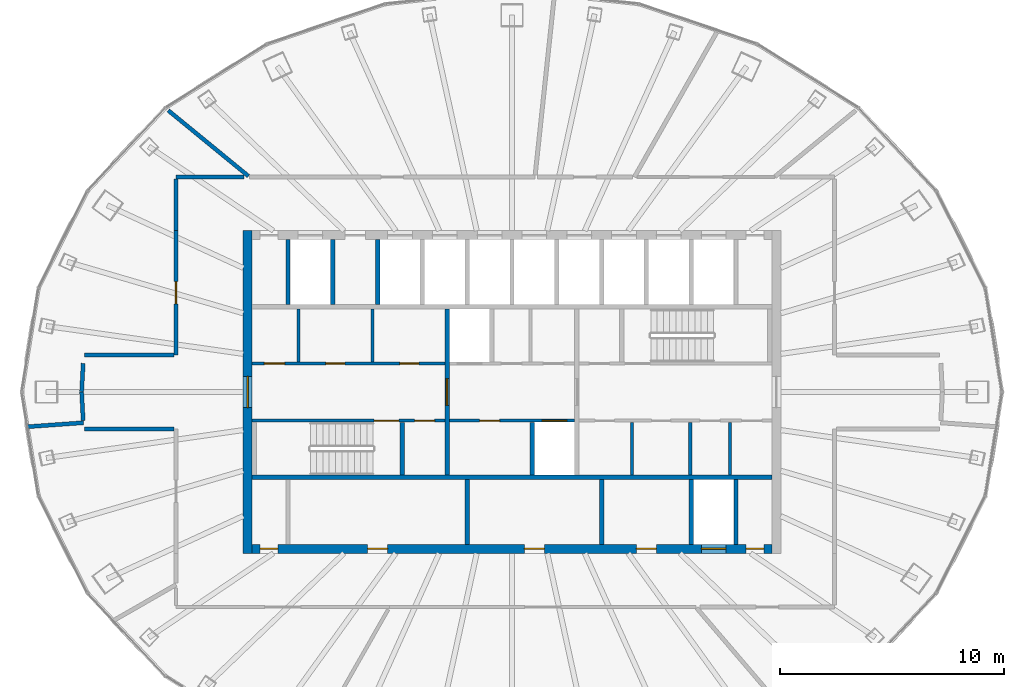
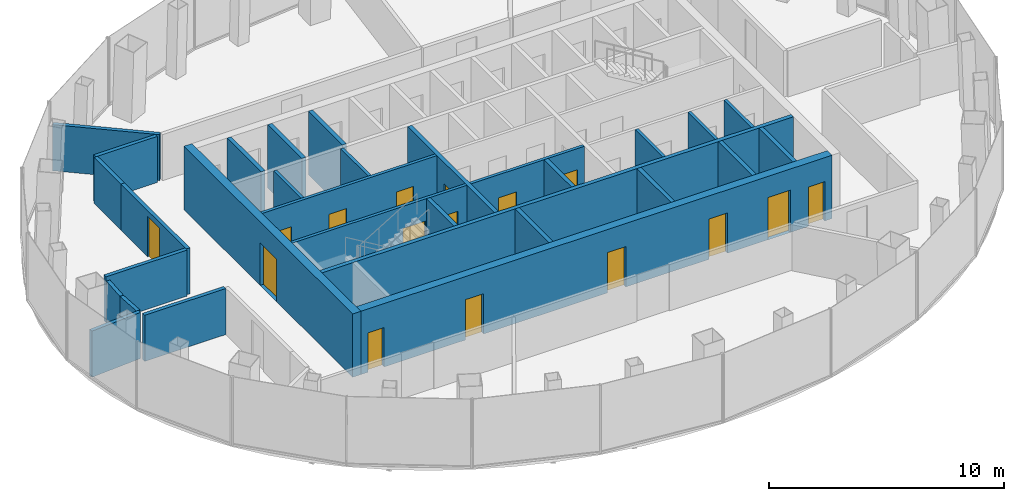
# One storey, part 8 of 11: 30 walls, 16 doors, 16 openings.
"""IFC4 building model written with IfcOpenShell, lengths in metres."""

import ifcopenshell
import ifcopenshell.guid

model = None  # the IFC model being written
_history = None  # IfcOwnerHistory: only IFC2X3 demands one
_inside = {}  # id of a spatial element -> (the spatial element, [elements in it])
_under = {}  # id of a project, library or spatial element -> (it, [spatial elements below it])
_declared = {}  # id of a project -> (the project, [libraries it declares])
_typed = {}  # id of a type object -> (the type object, [elements of that type])
_made_of = {}  # id of a material, layer set ... -> (it, [elements and type objects made of it])


def new_model(schema):
    """Start an empty IFC model of exactly this schema.

    Asked for "IFC4X3", IfcOpenShell would pick the latest addendum, in which some entities
    have other attributes; the version numbers below select the first issue.
    IFC2X3 requires an IfcOwnerHistory on every rooted entity: one is made here for all.
    """
    global model, _history
    if schema == "IFC4X3":
        model = ifcopenshell.file(schema_version=(4, 3, 0, 0))
    else:
        model = ifcopenshell.file(schema=schema)
    _inside.clear()
    _under.clear()
    _declared.clear()
    _typed.clear()
    _made_of.clear()
    _history = None
    if model.schema == "IFC2X3":
        org = make("IfcOrganization", Name="unknown")
        user = make(
            "IfcPersonAndOrganization",
            ThePerson=make("IfcPerson", FamilyName="unknown"),
            TheOrganization=org,
        )
        app = make(
            "IfcApplication",
            ApplicationDeveloper=org,
            Version="unknown",
            ApplicationFullName="unknown",
            ApplicationIdentifier="unknown",
        )
        _history = make(
            "IfcOwnerHistory",
            OwningUser=user,
            OwningApplication=app,
            ChangeAction="ADDED",
            CreationDate=0,
        )
    return model


def make(cls, **values):
    """One entity of the class cls with the attributes given. An attribute that is None is left unset."""
    return model.create_entity(
        cls, **{name: value for name, value in values.items() if value is not None}
    )


def rooted(cls, **values):
    """An entity with a GlobalId (a new one), such as an element, a storey or a relation."""
    return make(cls, GlobalId=ifcopenshell.guid.new(), OwnerHistory=_history, **values)


def si_unit(unit_type, name, prefix=None):
    """IfcSIUnit, for example si_unit("LENGTHUNIT", "METRE", prefix="MILLI")."""
    return make("IfcSIUnit", UnitType=unit_type, Prefix=prefix, Name=name)


def assignment(units):
    """IfcUnitAssignment: the units of a project."""
    return None if units is None else make("IfcUnitAssignment", Units=units)


def point(xyz):
    """IfcCartesianPoint."""
    return None if xyz is None else make("IfcCartesianPoint", Coordinates=xyz)


def direction(xyz):
    """IfcDirection."""
    return None if xyz is None else make("IfcDirection", DirectionRatios=xyz)


def frame(location, z_axis=None, x_axis=None):
    """IfcAxis2Placement3D, a coordinate frame: its origin and axes. An axis left out is left unset."""
    return make(
        "IfcAxis2Placement3D",
        Location=point(location),
        Axis=direction(z_axis),
        RefDirection=direction(x_axis),
    )


def frame_2d(location, x_axis=None):
    """IfcAxis2Placement2D, a coordinate frame in the plane: its origin and x axis."""
    return make(
        "IfcAxis2Placement2D", Location=point(location), RefDirection=direction(x_axis)
    )


def origin():
    """The frame at (0, 0, 0) with its axes left unset."""
    return frame((0.0, 0.0, 0.0))


def place(relative_to, where):
    """IfcLocalPlacement: puts the frame where relative to a parent placement (None: the world)."""
    return make(
        "IfcLocalPlacement", PlacementRelTo=relative_to, RelativePlacement=where
    )


def context(
    kind, dimensions, precision=None, world=None, true_north=None, identifier=None
):
    """IfcGeometricRepresentationContext, for example the 3D "Model" context."""
    return make(
        "IfcGeometricRepresentationContext",
        ContextIdentifier=identifier,
        ContextType=kind,
        CoordinateSpaceDimension=dimensions,
        Precision=precision,
        WorldCoordinateSystem=world,
        TrueNorth=true_north,
    )


def subcontext(parent, identifier, kind, view, scale=None):
    """IfcGeometricRepresentationSubContext, for example "Body" below "Model"."""
    return make(
        "IfcGeometricRepresentationSubContext",
        ContextIdentifier=identifier,
        ContextType=kind,
        ParentContext=parent,
        TargetScale=scale,
        TargetView=view,
    )


def project(units=None, contexts=None):
    """IfcProject with its units and contexts."""
    return rooted(
        "IfcProject",
        Name="project",
        RepresentationContexts=contexts,
        UnitsInContext=assignment(units),
    )


def spatial(cls, under=None, at=None, **own):
    """A site, building, storey or space (cls), placed at a placement, below another one or the project."""
    s = rooted(cls, ObjectPlacement=at, **own)
    if under is not None:
        _under.setdefault(under.id(), (under, []))[1].append(s)
    return s


def profile(cls, at=None, kind="AREA", **sizes):
    """A parametric profile (cls). Its sizes go by their IFC names, for example OverallWidth=200.0."""
    return make(cls, ProfileType=kind, Position=at, **sizes)


def rectangle(**sizes):
    """IfcRectangleProfileDef."""
    return profile("IfcRectangleProfileDef", **sizes)


def extrude(swept, where, along, depth):
    """IfcExtrudedAreaSolid: the profile swept, set in the frame where, extruded along a direction by depth."""
    return make(
        "IfcExtrudedAreaSolid",
        SweptArea=swept,
        Position=where,
        ExtrudedDirection=direction(along),
        Depth=depth,
    )


def shape(context_of_items, identifier, shape_type, items):
    """IfcShapeRepresentation: the items that make up one representation, for example the "Body"."""
    return make(
        "IfcShapeRepresentation",
        ContextOfItems=context_of_items,
        RepresentationIdentifier=identifier,
        RepresentationType=shape_type,
        Items=items,
    )


def material(Name=None, Category=None):
    """IfcMaterial."""
    return make("IfcMaterial", Name=Name, Category=Category)


def layer(
    of_material, thickness, ventilated=None, Name=None, Category=None, Priority=None
):
    """IfcMaterialLayer: one layer of a wall or slab, of a material (None: an air gap)."""
    return make(
        "IfcMaterialLayer",
        Material=of_material,
        LayerThickness=thickness,
        IsVentilated=ventilated,
        Name=Name,
        Category=Category,
        Priority=Priority,
    )


def layer_set(layers, Name=None):
    """IfcMaterialLayerSet."""
    return make("IfcMaterialLayerSet", MaterialLayers=layers, LayerSetName=Name)


def made_of(thing, what):
    """Note that an element or type object is made of a material, layer set ...; save() writes the relation."""
    if what is not None:
        _made_of.setdefault(what.id(), (what, []))[1].append(thing)
    return thing


def type_object(cls, material=None, **own):
    """A type object (cls), such as IfcWallType, which elements share."""
    return made_of(rooted(cls, **own), material)


def element(
    cls,
    number,
    at=None,
    inside=None,
    cuts=None,
    type_object=None,
    material=None,
    context=None,
    identifier="Body",
    shape_type=None,
    held_by="IfcProductDefinitionShape",
    body=None,
    shapes=None,
    **own,
):
    """One element of the class cls, such as IfcWall. Its Tag is "e" and its number.

    at: its placement. inside: the storey or other place that contains it. cuts: it is an
    opening in that element (IfcRelVoidsElement). A single representation is given by context,
    identifier, shape_type and body (its items); several are given by shapes. held_by: the class
    of the entity that holds the representations. save() writes the other relations.
    """
    e = rooted(cls, Tag="e%d" % number, ObjectPlacement=at, **own)
    if body is not None:
        shapes = [shape(context, identifier, shape_type, body)]
    if shapes is not None:
        e.Representation = make(held_by, Representations=shapes)
    if inside is not None:
        _inside.setdefault(inside.id(), (inside, []))[1].append(e)
    if cuts is not None:
        rooted(
            "IfcRelVoidsElement", RelatingBuildingElement=cuts, RelatedOpeningElement=e
        )
    if type_object is not None:
        _typed.setdefault(type_object.id(), (type_object, []))[1].append(e)
    return made_of(e, material)


def fill(opening, filler):
    """IfcRelFillsElement: the door or window that sits in an opening."""
    return rooted(
        "IfcRelFillsElement",
        RelatingOpeningElement=opening,
        RelatedBuildingElement=filler,
    )


def aggregate(whole, parts):
    """IfcRelAggregates: a whole, such as a stair, and the parts it consists of."""
    return rooted("IfcRelAggregates", RelatingObject=whole, RelatedObjects=parts)


def save(model, path):
    """Write the relations noted so far, then the file.

    IfcRelAggregates (storeys below a building ...), IfcRelContainedInSpatialStructure (elements
    in a storey), IfcRelDefinesByType, IfcRelAssociatesMaterial and IfcRelDeclares: one each for
    every whole, place, type object, material and project.
    """
    for whole, parts in _under.values():
        aggregate(whole, parts)
    for where, things in _inside.values():
        rooted(
            "IfcRelContainedInSpatialStructure",
            RelatedElements=things,
            RelatingStructure=where,
        )
    for kind, things in _typed.values():
        rooted("IfcRelDefinesByType", RelatedObjects=things, RelatingType=kind)
    for what, things in _made_of.values():
        rooted("IfcRelAssociatesMaterial", RelatedObjects=things, RelatingMaterial=what)
    for by, libraries in _declared.values():
        rooted("IfcRelDeclares", RelatingContext=by, RelatedDefinitions=libraries)
    model.write(path)


model = new_model("IFC4")

# Units and contexts
model_context = context("Model", 3, precision=1e-05, world=origin(), true_north=direction((0.0, 1.0)))
body_context = subcontext(model_context, "Body", "Model", "MODEL_VIEW")
ifc_project = project(units=[si_unit("LENGTHUNIT", "METRE"), si_unit("AREAUNIT", "SQUARE_METRE"), si_unit("VOLUMEUNIT", "CUBIC_METRE"), si_unit("PLANEANGLEUNIT", "RADIAN"), si_unit("MASSUNIT", "GRAM", prefix="KILO")], contexts=[model_context])

# Site, building, storey
site_placement = place(None, origin())
site = spatial("IfcSite", under=ifc_project, at=site_placement, CompositionType="ELEMENT")
building_placement = place(site_placement, origin())
building = spatial("IfcBuilding", under=site, at=building_placement, Name="Siaravel Broadcast Tower", CompositionType="ELEMENT")
storey_placement = place(building_placement, frame((0.0, 0.0, 220.800048828125)))
storey = spatial("IfcBuildingStorey", under=building, at=storey_placement, Name="L53", CompositionType="ELEMENT", Elevation=220.800048828125)

# Walls
ifc_material_1 = material(Name="Concrete blockwork", Category="masonry")
ifc_layer_1 = layer(ifc_material_1, 0.14990234375)
ifc_layer_set_1 = layer_set([ifc_layer_1], Name="Concrete blockwork")
wall_type_1 = type_object("IfcWallType", Name="Core partition 150", PredefinedType="PARTITIONING", material=ifc_layer_set_1)
for number, where, z_axis, x_axis, name in (
    (1, (-9.532958984375, 1.35009765625, 0.0), (0.0, 0.0, 1.0), (0.0, 1.0, 0.0), "L53 core partition PNW0"),
    (2, (-6.22900390625, 1.35009765625, 0.0), (0.0, 0.0, 1.0), (0.0, 1.0, 0.0), "L53 core partition PNW1"),
    (3, (5.35693359375, -3.699951171875, 0.0), (0.0, 0.0, 1.0), (0.0, 1.0, 0.0), "L53 core partition PSE0"),
    (4, (7.951904296875, -3.699951171875, 0.0), (0.0, 0.0, 1.0), (0.0, 1.0, 0.0), "L53 core partition PSE1"),
    (5, (9.73193359375, -3.699951171875, 0.0), (0.0, 0.0, 1.0), (0.0, 1.0, 0.0), "L53 core partition PSE2"),
):
    element("IfcWall", number, at=place(storey_placement, frame(where, z_axis=z_axis, x_axis=x_axis)), inside=storey, type_object=wall_type_1, Name=name, PredefinedType="PARTITIONING", context=body_context, shape_type="SweptSolid", body=[
        extrude(rectangle(XDim=2.349853515625, YDim=0.14990234375, at=frame_2d((1.1748046875, 0.0))), origin(), (0.0, 0.0, 1.0), 3.300048828125),
    ])
ifc_layer_2 = layer(ifc_material_1, 0.199951171875)
ifc_layer_set_2 = layer_set([ifc_layer_2], Name="Concrete blockwork")
wall_type_2 = type_object("IfcWallType", Name="Core partition 200", PredefinedType="PARTITIONING", material=ifc_layer_set_2)
for number, where, z_axis, x_axis, name in (
    (6, (-2.0, -6.800048828125, 0.0), (0.0, 0.0, 1.0), (0.0, 1.0, 0.0), "L53 core partition PFS0"),
    (7, (4.0, -6.800048828125, 0.0), (0.0, 0.0, 1.0), (0.0, 1.0, 0.0), "L53 core partition PFS4"),
):
    element("IfcWall", number, at=place(storey_placement, frame(where, z_axis=z_axis, x_axis=x_axis)), inside=storey, type_object=wall_type_2, Name=name, PredefinedType="PARTITIONING", context=body_context, shape_type="SweptSolid", body=[
        extrude(rectangle(XDim=2.900146484375, YDim=0.199951171875, at=frame_2d((1.4501953125, 0.0))), origin(), (0.0, 0.0, 1.0), 3.300048828125),
    ])

# Wall, opening, door
ifc_material_2 = material(Name="Concrete C60/75", Category="concrete")
ifc_layer_3 = layer(ifc_material_2, 0.39990234375)
ifc_layer_set_3 = layer_set([ifc_layer_3], Name="Concrete C60/75")
wall_type_3 = type_object("IfcWallType", Name="Core wall 400", PredefinedType="SHEAR", material=ifc_layer_set_3)
wall_1_placement = place(storey_placement, frame((-11.800048828125, -7.199951171875, 0.0), z_axis=(0.0, 0.0, 1.0), x_axis=(0.0, 1.0, 0.0)))
wall_1 = element("IfcWall", 8, at=wall_1_placement, inside=storey, type_object=wall_type_3, Name="L53 core wall OW", PredefinedType="SHEAR", context=body_context, shape_type="SweptSolid", body=[
    extrude(rectangle(XDim=14.39990234375, YDim=0.39990234375, at=frame_2d((7.199951171875, 0.0))), origin(), (0.0, 0.0, 1.0), 3.300048828125),
])
opening_1_placement = place(wall_1_placement, frame((6.5, 0.0, 0.0)))
opening_1 = element("IfcOpeningElement", 9, at=opening_1_placement, cuts=wall_1, Name="Opening L53-DX-W", PredefinedType="OPENING", context=body_context, shape_type="SweptSolid", body=[
    extrude(rectangle(XDim=1.39990234375, YDim=2.199951171875, at=frame_2d((0.699951171875, 1.10009765625))), frame((0.0, 0.2099609375, 0.0), z_axis=(0.0, -1.0, 0.0), x_axis=(1.0, 0.0, 0.0)), (0.0, 0.0, 1.0), 0.419921875),
])
ifc_material_3 = material(Name="Steel", Category="steel")
door_type_1 = type_object("IfcDoorType", Name="Core exit door 1400", OperationType="DOUBLE_DOOR_SINGLE_SWING", PredefinedType="DOOR", material=ifc_material_3)
door_1_placement = place(opening_1_placement, origin())
door_1 = element("IfcDoor", 10, at=door_1_placement, inside=storey, type_object=door_type_1, Name="L53 door DX-W", OperationType="DOUBLE_DOOR_SINGLE_SWING", OverallHeight=2.199951171875, OverallWidth=1.39990234375, PredefinedType="DOOR", context=body_context, shape_type="SweptSolid", body=[
    extrude(rectangle(XDim=1.39990234375, YDim=2.199951171875, at=frame_2d((0.699951171875, 1.10009765625))), frame((0.0, 0.02490234375, 0.0), z_axis=(0.0, -1.0, 0.0), x_axis=(1.0, 0.0, 0.0)), (0.0, 0.0, 1.0), 0.050048828125),
])
fill(opening_1, door_1)

# Wall, openings, doors
wall_2_placement = place(storey_placement, frame((-11.60009765625, -7.0, 0.0), z_axis=(0.0, 0.0, 1.0), x_axis=(1.0, 0.0, 0.0)))
wall_2 = element("IfcWall", 11, at=wall_2_placement, inside=storey, type_object=wall_type_3, Name="L53 core wall OS", PredefinedType="SHEAR", context=body_context, shape_type="SweptSolid", body=[
    extrude(rectangle(XDim=23.2001953125, YDim=0.39990234375, at=frame_2d((11.60009765625, 0.0))), origin(), (0.0, 0.0, 1.0), 3.300048828125),
])
opening_2_placement = place(wall_2_placement, frame((20.050048828125, 0.0, 0.0)))
opening_2 = element("IfcOpeningElement", 12, at=opening_2_placement, cuts=wall_2, Name="Opening LD-SV1-L53", PredefinedType="OPENING", context=body_context, shape_type="SweptSolid", body=[
    extrude(rectangle(XDim=1.10009765625, YDim=2.199951171875, at=frame_2d((0.550048828125, 1.10009765625))), frame((0.0, 0.2099609375, 0.0), z_axis=(0.0, -1.0, 0.0), x_axis=(1.0, 0.0, 0.0)), (0.0, 0.0, 1.0), 0.419921875),
])
opening_3_placement = place(wall_2_placement, frame((5.14990234375, 0.0, 0.0)))
opening_3 = element("IfcOpeningElement", 13, at=opening_3_placement, cuts=wall_2, Name="Opening L53-DFS0", PredefinedType="OPENING", context=body_context, shape_type="SweptSolid", body=[
    extrude(rectangle(XDim=0.89990234375, YDim=2.10009765625, at=frame_2d((0.449951171875, 1.050048828125))), frame((0.0, 0.2099609375, 0.0), z_axis=(0.0, -1.0, 0.0), x_axis=(1.0, 0.0, 0.0)), (0.0, 0.0, 1.0), 0.419921875),
])
opening_4_placement = place(wall_2_placement, frame((12.14990234375, 0.0, 0.0)))
opening_4 = element("IfcOpeningElement", 14, at=opening_4_placement, cuts=wall_2, Name="Opening L53-DFS4", PredefinedType="OPENING", context=body_context, shape_type="SweptSolid", body=[
    extrude(rectangle(XDim=0.89990234375, YDim=2.10009765625, at=frame_2d((0.449951171875, 1.050048828125))), frame((0.0, 0.2099609375, 0.0), z_axis=(0.0, -1.0, 0.0), x_axis=(1.0, 0.0, 0.0)), (0.0, 0.0, 1.0), 0.419921875),
])
opening_5_placement = place(wall_2_placement, frame((17.14990234375, 0.0, 0.0)))
opening_5 = element("IfcOpeningElement", 15, at=opening_5_placement, cuts=wall_2, Name="Opening L53-DFS7", PredefinedType="OPENING", context=body_context, shape_type="SweptSolid", body=[
    extrude(rectangle(XDim=0.89990234375, YDim=2.10009765625, at=frame_2d((0.449951171875, 1.050048828125))), frame((0.0, 0.2099609375, 0.0), z_axis=(0.0, -1.0, 0.0), x_axis=(1.0, 0.0, 0.0)), (0.0, 0.0, 1.0), 0.419921875),
])
opening_6_placement = place(wall_2_placement, frame((0.35009765625, 0.0, 0.0)))
opening_6 = element("IfcOpeningElement", 16, at=opening_6_placement, cuts=wall_2, Name="Opening L53-DRSW", PredefinedType="OPENING", context=body_context, shape_type="SweptSolid", body=[
    extrude(rectangle(XDim=0.800048828125, YDim=2.050048828125, at=frame_2d((0.39990234375, 1.02490234375))), frame((0.0, 0.2099609375, 0.0), z_axis=(0.0, -1.0, 0.0), x_axis=(1.0, 0.0, 0.0)), (0.0, 0.0, 1.0), 0.419921875),
])
opening_7_placement = place(wall_2_placement, frame((22.050048828125, 0.0, 0.0)))
opening_7 = element("IfcOpeningElement", 17, at=opening_7_placement, cuts=wall_2, Name="Opening L53-DRSE", PredefinedType="OPENING", context=body_context, shape_type="SweptSolid", body=[
    extrude(rectangle(XDim=0.800048828125, YDim=2.050048828125, at=frame_2d((0.39990234375, 1.02490234375))), frame((0.0, 0.2099609375, 0.0), z_axis=(0.0, -1.0, 0.0), x_axis=(1.0, 0.0, 0.0)), (0.0, 0.0, 1.0), 0.419921875),
])
ifc_material_4 = material(Name="Timber veneer", Category="wood")
door_type_2 = type_object("IfcDoorType", Name="Core room door 900", OperationType="SINGLE_SWING_LEFT", PredefinedType="DOOR", material=ifc_material_4)
door_2_placement = place(opening_3_placement, origin())
door_2 = element("IfcDoor", 18, at=door_2_placement, inside=storey, type_object=door_type_2, Name="L53 door DFS0", OperationType="SINGLE_SWING_LEFT", OverallHeight=2.10009765625, OverallWidth=0.89990234375, PredefinedType="DOOR", context=body_context, shape_type="SweptSolid", body=[
    extrude(rectangle(XDim=0.89990234375, YDim=2.10009765625, at=frame_2d((0.449951171875, 1.050048828125))), frame((0.0, 0.02490234375, 0.0), z_axis=(0.0, -1.0, 0.0), x_axis=(1.0, 0.0, 0.0)), (0.0, 0.0, 1.0), 0.050048828125),
])
fill(opening_3, door_2)
door_3_placement = place(opening_4_placement, origin())
door_3 = element("IfcDoor", 19, at=door_3_placement, inside=storey, type_object=door_type_2, Name="L53 door DFS4", OperationType="SINGLE_SWING_LEFT", OverallHeight=2.10009765625, OverallWidth=0.89990234375, PredefinedType="DOOR", context=body_context, shape_type="SweptSolid", body=[
    extrude(rectangle(XDim=0.89990234375, YDim=2.10009765625, at=frame_2d((0.449951171875, 1.050048828125))), frame((0.0, 0.02490234375, 0.0), z_axis=(0.0, -1.0, 0.0), x_axis=(1.0, 0.0, 0.0)), (0.0, 0.0, 1.0), 0.050048828125),
])
fill(opening_4, door_3)
door_4_placement = place(opening_5_placement, origin())
door_4 = element("IfcDoor", 20, at=door_4_placement, inside=storey, type_object=door_type_2, Name="L53 door DFS7", OperationType="SINGLE_SWING_LEFT", OverallHeight=2.10009765625, OverallWidth=0.89990234375, PredefinedType="DOOR", context=body_context, shape_type="SweptSolid", body=[
    extrude(rectangle(XDim=0.89990234375, YDim=2.10009765625, at=frame_2d((0.449951171875, 1.050048828125))), frame((0.0, 0.02490234375, 0.0), z_axis=(0.0, -1.0, 0.0), x_axis=(1.0, 0.0, 0.0)), (0.0, 0.0, 1.0), 0.050048828125),
])
fill(opening_5, door_4)
door_type_3 = type_object("IfcDoorType", Name="Riser door 800", OperationType="SINGLE_SWING_LEFT", PredefinedType="DOOR", material=ifc_material_3)
door_5_placement = place(opening_6_placement, origin())
door_5 = element("IfcDoor", 21, at=door_5_placement, inside=storey, type_object=door_type_3, Name="L53 door DRSW", OperationType="SINGLE_SWING_LEFT", OverallHeight=2.050048828125, OverallWidth=0.800048828125, PredefinedType="DOOR", context=body_context, shape_type="SweptSolid", body=[
    extrude(rectangle(XDim=0.800048828125, YDim=2.050048828125, at=frame_2d((0.39990234375, 1.02490234375))), frame((0.0, 0.02490234375, 0.0), z_axis=(0.0, -1.0, 0.0), x_axis=(1.0, 0.0, 0.0)), (0.0, 0.0, 1.0), 0.050048828125),
])
fill(opening_6, door_5)
door_6_placement = place(opening_7_placement, origin())
door_6 = element("IfcDoor", 22, at=door_6_placement, inside=storey, type_object=door_type_3, Name="L53 door DRSE", OperationType="SINGLE_SWING_LEFT", OverallHeight=2.050048828125, OverallWidth=0.800048828125, PredefinedType="DOOR", context=body_context, shape_type="SweptSolid", body=[
    extrude(rectangle(XDim=0.800048828125, YDim=2.050048828125, at=frame_2d((0.39990234375, 1.02490234375))), frame((0.0, 0.02490234375, 0.0), z_axis=(0.0, -1.0, 0.0), x_axis=(1.0, 0.0, 0.0)), (0.0, 0.0, 1.0), 0.050048828125),
])
fill(opening_7, door_6)
ifc_material_5 = material(Name="Stainless steel 316L", Category="steel")
door_type_4 = type_object("IfcDoorType", Name="Service lift landing door 1100", OperationType="DOUBLE_DOOR_SLIDING", PredefinedType="DOOR", material=ifc_material_5)
door_7_placement = place(opening_2_placement, origin())
door_7 = element("IfcDoor", 23, at=door_7_placement, inside=storey, type_object=door_type_4, Name="Landing door SV1 L53", OperationType="DOUBLE_DOOR_SLIDING", OverallHeight=2.199951171875, OverallWidth=1.10009765625, PredefinedType="DOOR", context=body_context, shape_type="SweptSolid", body=[
    extrude(rectangle(XDim=1.10009765625, YDim=2.199951171875, at=frame_2d((0.550048828125, 1.10009765625))), frame((0.0, 0.02490234375, 0.0), z_axis=(0.0, -1.0, 0.0), x_axis=(1.0, 0.0, 0.0)), (0.0, 0.0, 1.0), 0.050048828125),
])
fill(opening_2, door_7)

ifc_material_6 = material(Name="Gypsum board partition", Category="gypsum")
ifc_layer_4 = layer(ifc_material_6, 0.14990234375)
ifc_layer_set_4 = layer_set([ifc_layer_4], Name="Gypsum board partition")
wall_type_4 = type_object("IfcWallType", Name="Corridor wall 150", PredefinedType="PARTITIONING", material=ifc_layer_set_4)
wall_3_placement = place(storey_placement, frame((-11.60009765625, 1.27490234375, 0.0), z_axis=(0.0, 0.0, 1.0), x_axis=(1.0, 0.0, 0.0)))
wall_3 = element("IfcWall", 24, at=wall_3_placement, inside=storey, type_object=wall_type_4, Name="L53 core partition CNW", PredefinedType="PARTITIONING", context=body_context, shape_type="SweptSolid", body=[
    extrude(rectangle(XDim=8.60009765625, YDim=0.14990234375, at=frame_2d((4.300048828125, 0.0))), origin(), (0.0, 0.0, 1.0), 3.300048828125),
])
opening_8_placement = place(wall_3_placement, frame((0.5458984375, 0.0, 0.0)))
opening_8 = element("IfcOpeningElement", 25, at=opening_8_placement, cuts=wall_3, Name="Opening L53-DNW0", PredefinedType="OPENING", context=body_context, shape_type="SweptSolid", body=[
    extrude(rectangle(XDim=0.89990234375, YDim=2.10009765625, at=frame_2d((0.449951171875, 1.050048828125))), frame((0.0, 0.0849609375, 0.0), z_axis=(0.0, -1.0, 0.0), x_axis=(1.0, 0.0, 0.0)), (0.0, 0.0, 1.0), 0.169921875),
])
opening_9_placement = place(wall_3_placement, frame((3.2939453125, 0.0, 0.0)))
opening_9 = element("IfcOpeningElement", 26, at=opening_9_placement, cuts=wall_3, Name="Opening L53-DNW1", PredefinedType="OPENING", context=body_context, shape_type="SweptSolid", body=[
    extrude(rectangle(XDim=0.85009765625, YDim=2.10009765625, at=frame_2d((0.425048828125, 1.050048828125))), frame((0.0, 0.0849609375, 0.0), z_axis=(0.0, -1.0, 0.0), x_axis=(1.0, 0.0, 0.0)), (0.0, 0.0, 1.0), 0.169921875),
])
opening_10_placement = place(wall_3_placement, frame((6.597900390625, 0.0, 0.0)))
opening_10 = element("IfcOpeningElement", 27, at=opening_10_placement, cuts=wall_3, Name="Opening L53-DNW2", PredefinedType="OPENING", context=body_context, shape_type="SweptSolid", body=[
    extrude(rectangle(XDim=0.85009765625, YDim=2.10009765625, at=frame_2d((0.425048828125, 1.050048828125))), frame((0.0, 0.0849609375, 0.0), z_axis=(0.0, -1.0, 0.0), x_axis=(1.0, 0.0, 0.0)), (0.0, 0.0, 1.0), 0.169921875),
])
door_8_placement = place(opening_8_placement, origin())
door_8 = element("IfcDoor", 28, at=door_8_placement, inside=storey, type_object=door_type_2, Name="L53 door DNW0", OperationType="SINGLE_SWING_LEFT", OverallHeight=2.10009765625, OverallWidth=0.89990234375, PredefinedType="DOOR", context=body_context, shape_type="SweptSolid", body=[
    extrude(rectangle(XDim=0.89990234375, YDim=2.10009765625, at=frame_2d((0.449951171875, 1.050048828125))), frame((0.0, 0.02490234375, 0.0), z_axis=(0.0, -1.0, 0.0), x_axis=(1.0, 0.0, 0.0)), (0.0, 0.0, 1.0), 0.050048828125),
])
fill(opening_8, door_8)
door_type_5 = type_object("IfcDoorType", Name="Core toilet door 850", OperationType="SINGLE_SWING_LEFT", PredefinedType="DOOR", material=ifc_material_4)
door_9_placement = place(opening_9_placement, origin())
door_9 = element("IfcDoor", 29, at=door_9_placement, inside=storey, type_object=door_type_5, Name="L53 door DNW1", OperationType="SINGLE_SWING_LEFT", OverallHeight=2.10009765625, OverallWidth=0.85009765625, PredefinedType="DOOR", context=body_context, shape_type="SweptSolid", body=[
    extrude(rectangle(XDim=0.85009765625, YDim=2.10009765625, at=frame_2d((0.425048828125, 1.050048828125))), frame((0.0, 0.02490234375, 0.0), z_axis=(0.0, -1.0, 0.0), x_axis=(1.0, 0.0, 0.0)), (0.0, 0.0, 1.0), 0.050048828125),
])
fill(opening_9, door_9)
door_10_placement = place(opening_10_placement, origin())
door_10 = element("IfcDoor", 30, at=door_10_placement, inside=storey, type_object=door_type_5, Name="L53 door DNW2", OperationType="SINGLE_SWING_LEFT", OverallHeight=2.10009765625, OverallWidth=0.85009765625, PredefinedType="DOOR", context=body_context, shape_type="SweptSolid", body=[
    extrude(rectangle(XDim=0.85009765625, YDim=2.10009765625, at=frame_2d((0.425048828125, 1.050048828125))), frame((0.0, 0.02490234375, 0.0), z_axis=(0.0, -1.0, 0.0), x_axis=(1.0, 0.0, 0.0)), (0.0, 0.0, 1.0), 0.050048828125),
])
fill(opening_10, door_10)

# Wall, opening, door
ifc_layer_5 = layer(ifc_material_1, 0.179931640625)
ifc_layer_set_5 = layer_set([ifc_layer_5], Name="Concrete blockwork")
wall_type_5 = type_object("IfcWallType", Name="Service room fire partition 180", PredefinedType="PARTITIONING", material=ifc_layer_set_5)
wall_4_placement = place(storey_placement, frame((-15.0, 7.2119140625, 0.0), z_axis=(0.0, 0.0, 1.0), x_axis=(0.0, -1.0, 0.0)))
wall_4 = element("IfcWall", 31, at=wall_4_placement, inside=storey, type_object=wall_type_5, Name="L53 partition 11", PredefinedType="PARTITIONING", context=body_context, shape_type="SweptSolid", body=[
    extrude(rectangle(XDim=5.56201171875, YDim=0.179931640625, at=frame_2d((2.781005859375, 0.0))), origin(), (0.0, 0.0, 1.0), 2.39990234375),
])
opening_11_placement = place(wall_4_placement, frame((2.281005859375, 0.0, 0.0)))
opening_11 = element("IfcOpeningElement", 32, at=opening_11_placement, cuts=wall_4, Name="Opening L53-007", PredefinedType="OPENING", context=body_context, shape_type="SweptSolid", body=[
    extrude(rectangle(XDim=1.0, YDim=2.10009765625, at=frame_2d((0.5, 1.050048828125))), frame((0.0, 0.099853515625, 0.0), z_axis=(0.0, -1.0, 0.0), x_axis=(1.0, 0.0, 0.0)), (0.0, 0.0, 1.0), 0.199951171875),
])
door_type_6 = type_object("IfcDoorType", Name="Service room door 1000", OperationType="SINGLE_SWING_LEFT", PredefinedType="DOOR", material=ifc_material_3)
door_11_placement = place(opening_11_placement, origin())
door_11 = element("IfcDoor", 33, at=door_11_placement, inside=storey, type_object=door_type_6, Name="L53 door to Library", OperationType="SINGLE_SWING_LEFT", OverallHeight=2.10009765625, OverallWidth=1.0, PredefinedType="DOOR", context=body_context, shape_type="SweptSolid", body=[
    extrude(rectangle(XDim=1.0, YDim=2.10009765625, at=frame_2d((0.5, 1.050048828125))), frame((0.0, 0.02490234375, 0.0), z_axis=(0.0, -1.0, 0.0), x_axis=(1.0, 0.0, 0.0)), (0.0, 0.0, 1.0), 0.050048828125),
])
fill(opening_11, door_11)

# Walls
wall_5_placement = place(storey_placement, frame((-15.3466796875, 12.570556640625, 0.0), z_axis=(0.0, 0.0, 1.0), x_axis=(0.773623506, -0.633645541, 0.0)))
element("IfcWall", 34, at=wall_5_placement, inside=storey, type_object=wall_type_5, Name="L53 partition 14", PredefinedType="PARTITIONING", context=body_context, shape_type="SweptSolid", body=[
    extrude(rectangle(XDim=4.62890625, YDim=0.179931640625, at=frame_2d((2.314453125, 0.0))), origin(), (0.0, 0.0, 1.0), 2.39990234375),
])
for number, where, z_axis, x_axis, name in (
    (35, (-15.092041015625, 1.64990234375, 0.0), (0.0, 0.0, 1.0), (-1.0, 0.0, 0.0), "L53 partition 19"),
    (36, (-19.0849609375, -1.64990234375, 0.0), (0.0, 0.0, 1.0), (1.0, 0.0, 0.0), "L53 partition 20"),
):
    element("IfcWall", number, at=place(storey_placement, frame(where, z_axis=z_axis, x_axis=x_axis)), inside=storey, type_object=wall_type_5, Name=name, PredefinedType="PARTITIONING", context=body_context, shape_type="SweptSolid", body=[
        extrude(rectangle(XDim=3.992919921875, YDim=0.179931640625, at=frame_2d((1.99658203125, 0.0))), origin(), (0.0, 0.0, 1.0), 2.39990234375),
    ])
wall_6_placement = place(storey_placement, frame((-11.973876953125, 9.60009765625, 0.0), z_axis=(0.0, 0.0, 1.0), x_axis=(-1.0, 0.0, 0.0)))
element("IfcWall", 37, at=wall_6_placement, inside=storey, type_object=wall_type_5, Name="L53 partition 21", PredefinedType="PARTITIONING", context=body_context, shape_type="SweptSolid", body=[
    extrude(rectangle(XDim=3.026123046875, YDim=0.179931640625, at=frame_2d((1.51318359375, 0.0))), origin(), (0.0, 0.0, 1.0), 2.39990234375),
])
wall_7_placement = place(storey_placement, frame((-21.633056640625, -1.55029296875, 0.0), z_axis=(0.0, 0.0, 1.0), x_axis=(0.997440396, 0.071502847, 0.0)))
element("IfcWall", 38, at=wall_7_placement, inside=storey, type_object=wall_type_5, Name="L53 partition 24", PredefinedType="PARTITIONING", context=body_context, shape_type="SweptSolid", body=[
    extrude(rectangle(XDim=2.509521484375, YDim=0.179931640625, at=frame_2d((1.2548828125, 0.0))), origin(), (0.0, 0.0, 1.0), 2.39990234375),
])
wall_8_placement = place(storey_placement, frame((-15.0, 9.508056640625, 0.0), z_axis=(0.0, 0.0, 1.0), x_axis=(0.0, -1.0, 0.0)))
element("IfcWall", 39, at=wall_8_placement, inside=storey, type_object=wall_type_5, Name="L53 partition 26", PredefinedType="PARTITIONING", context=body_context, shape_type="SweptSolid", body=[
    extrude(rectangle(XDim=2.295166015625, YDim=0.179931640625, at=frame_2d((1.1474609375, 0.0))), origin(), (0.0, 0.0, 1.0), 2.39990234375),
])
wall_9_placement = place(storey_placement, frame((-19.212646484375, 0.0, 0.0), z_axis=(0.0, 0.0, 1.0), x_axis=(0.053158846, -0.998586069, 0.0)))
element("IfcWall", 40, at=wall_9_placement, inside=storey, type_object=wall_type_5, Name="L53 partition 30", PredefinedType="PARTITIONING", context=body_context, shape_type="SweptSolid", body=[
    extrude(rectangle(XDim=1.28125, YDim=0.179931640625, at=frame_2d((0.640625, 0.0))), origin(), (0.0, 0.0, 1.0), 2.39990234375),
])
wall_10_placement = place(storey_placement, frame((-19.144287109375, 1.280517578125, 0.0), z_axis=(0.0, 0.0, 1.0), x_axis=(-0.053214222, -0.99858312, 0.0)))
element("IfcWall", 41, at=wall_10_placement, inside=storey, type_object=wall_type_5, Name="L53 partition 32", PredefinedType="PARTITIONING", context=body_context, shape_type="SweptSolid", body=[
    extrude(rectangle(XDim=1.270751953125, YDim=0.179931640625, at=frame_2d((0.63525390625, 0.0))), origin(), (0.0, 0.0, 1.0), 2.39990234375),
])

# Wall, openings, doors
ifc_layer_6 = layer(ifc_material_2, 0.14990234375)
ifc_layer_set_6 = layer_set([ifc_layer_6], Name="Concrete C60/75")
wall_type_6 = type_object("IfcWallType", Name="Shaft wall 150", PredefinedType="SHEAR", material=ifc_layer_set_6)
wall_11_placement = place(storey_placement, frame((-11.60009765625, -1.27490234375, 0.0), z_axis=(0.0, 0.0, 1.0), x_axis=(1.0, 0.0, 0.0)))
wall_11 = element("IfcWall", 42, at=wall_11_placement, inside=storey, type_object=wall_type_6, Name="L53 core wall CSW", PredefinedType="SHEAR", context=body_context, shape_type="SweptSolid", body=[
    extrude(rectangle(XDim=8.60009765625, YDim=0.14990234375, at=frame_2d((4.300048828125, 0.0))), origin(), (0.0, 0.0, 1.0), 3.300048828125),
])
opening_12_placement = place(wall_11_placement, frame((5.449951171875, 0.0, 0.0)))
opening_12 = element("IfcOpeningElement", 43, at=opening_12_placement, cuts=wall_11, Name="Opening L53-DS-1", PredefinedType="OPENING", context=body_context, shape_type="SweptSolid", body=[
    extrude(rectangle(XDim=1.10009765625, YDim=2.14990234375, at=frame_2d((0.550048828125, 1.074951171875))), frame((0.0, 0.0849609375, 0.0), z_axis=(0.0, -1.0, 0.0), x_axis=(1.0, 0.0, 0.0)), (0.0, 0.0, 1.0), 0.169921875),
])
opening_13_placement = place(wall_11_placement, frame((7.25, 0.0, 0.0)))
opening_13 = element("IfcOpeningElement", 44, at=opening_13_placement, cuts=wall_11, Name="Opening L53-DSW0", PredefinedType="OPENING", context=body_context, shape_type="SweptSolid", body=[
    extrude(rectangle(XDim=0.89990234375, YDim=2.10009765625, at=frame_2d((0.449951171875, 1.050048828125))), frame((0.0, 0.0849609375, 0.0), z_axis=(0.0, -1.0, 0.0), x_axis=(1.0, 0.0, 0.0)), (0.0, 0.0, 1.0), 0.169921875),
])
door_12_placement = place(opening_13_placement, origin())
door_12 = element("IfcDoor", 45, at=door_12_placement, inside=storey, type_object=door_type_2, Name="L53 door DSW0", OperationType="SINGLE_SWING_LEFT", OverallHeight=2.10009765625, OverallWidth=0.89990234375, PredefinedType="DOOR", context=body_context, shape_type="SweptSolid", body=[
    extrude(rectangle(XDim=0.89990234375, YDim=2.10009765625, at=frame_2d((0.449951171875, 1.050048828125))), frame((0.0, 0.02490234375, 0.0), z_axis=(0.0, -1.0, 0.0), x_axis=(1.0, 0.0, 0.0)), (0.0, 0.0, 1.0), 0.050048828125),
])
fill(opening_13, door_12)
door_type_7 = type_object("IfcDoorType", Name="Stair door 1100", OperationType="SINGLE_SWING_LEFT", PredefinedType="DOOR", material=ifc_material_3)
door_13_placement = place(opening_12_placement, origin())
door_13 = element("IfcDoor", 46, at=door_13_placement, inside=storey, type_object=door_type_7, Name="L53 door DS-1", OperationType="SINGLE_SWING_LEFT", OverallHeight=2.14990234375, OverallWidth=1.10009765625, PredefinedType="DOOR", context=body_context, shape_type="SweptSolid", body=[
    extrude(rectangle(XDim=1.10009765625, YDim=2.14990234375, at=frame_2d((0.550048828125, 1.074951171875))), frame((0.0, 0.02490234375, 0.0), z_axis=(0.0, -1.0, 0.0), x_axis=(1.0, 0.0, 0.0)), (0.0, 0.0, 1.0), 0.050048828125),
])
fill(opening_12, door_13)

wall_12_placement = place(storey_placement, frame((-2.800048828125, -1.27490234375, 0.0), z_axis=(0.0, 0.0, 1.0), x_axis=(1.0, 0.0, 0.0)))
wall_12 = element("IfcWall", 47, at=wall_12_placement, inside=storey, type_object=wall_type_6, Name="L53 core wall CSM", PredefinedType="SHEAR", context=body_context, shape_type="SweptSolid", body=[
    extrude(rectangle(XDim=5.60009765625, YDim=0.14990234375, at=frame_2d((2.800048828125, 0.0))), origin(), (0.0, 0.0, 1.0), 3.300048828125),
])
opening_14_placement = place(wall_12_placement, frame((4.14990234375, 0.0, 0.0)))
opening_14 = element("IfcOpeningElement", 48, at=opening_14_placement, cuts=wall_12, Name="Opening LD-FL2-L53", PredefinedType="OPENING", context=body_context, shape_type="SweptSolid", body=[
    extrude(rectangle(XDim=1.10009765625, YDim=2.199951171875, at=frame_2d((0.550048828125, 1.10009765625))), frame((0.0, 0.0849609375, 0.0), z_axis=(0.0, -1.0, 0.0), x_axis=(1.0, 0.0, 0.0)), (0.0, 0.0, 1.0), 0.169921875),
])
opening_15_placement = place(wall_12_placement, frame((1.35009765625, 0.0, 0.0)))
opening_15 = element("IfcOpeningElement", 49, at=opening_15_placement, cuts=wall_12, Name="Opening L53-DSM0", PredefinedType="OPENING", context=body_context, shape_type="SweptSolid", body=[
    extrude(rectangle(XDim=0.89990234375, YDim=2.10009765625, at=frame_2d((0.449951171875, 1.050048828125))), frame((0.0, 0.0849609375, 0.0), z_axis=(0.0, -1.0, 0.0), x_axis=(1.0, 0.0, 0.0)), (0.0, 0.0, 1.0), 0.169921875),
])
door_14_placement = place(opening_15_placement, origin())
door_14 = element("IfcDoor", 50, at=door_14_placement, inside=storey, type_object=door_type_2, Name="L53 door DSM0", OperationType="SINGLE_SWING_LEFT", OverallHeight=2.10009765625, OverallWidth=0.89990234375, PredefinedType="DOOR", context=body_context, shape_type="SweptSolid", body=[
    extrude(rectangle(XDim=0.89990234375, YDim=2.10009765625, at=frame_2d((0.449951171875, 1.050048828125))), frame((0.0, 0.02490234375, 0.0), z_axis=(0.0, -1.0, 0.0), x_axis=(1.0, 0.0, 0.0)), (0.0, 0.0, 1.0), 0.050048828125),
])
fill(opening_15, door_14)
door_type_8 = type_object("IfcDoorType", Name="Firefighting lift landing door 1100", OperationType="DOUBLE_DOOR_SLIDING", PredefinedType="DOOR", material=ifc_material_5)
door_15_placement = place(opening_14_placement, origin())
door_15 = element("IfcDoor", 51, at=door_15_placement, inside=storey, type_object=door_type_8, Name="Landing door FL2 L53", OperationType="DOUBLE_DOOR_SLIDING", OverallHeight=2.199951171875, OverallWidth=1.10009765625, PredefinedType="DOOR", context=body_context, shape_type="SweptSolid", body=[
    extrude(rectangle(XDim=1.10009765625, YDim=2.199951171875, at=frame_2d((0.550048828125, 1.10009765625))), frame((0.0, 0.02490234375, 0.0), z_axis=(0.0, -1.0, 0.0), x_axis=(1.0, 0.0, 0.0)), (0.0, 0.0, 1.0), 0.050048828125),
])
fill(opening_14, door_15)

# Walls
ifc_layer_7 = layer(ifc_material_2, 0.199951171875)
ifc_layer_set_7 = layer_set([ifc_layer_7], Name="Concrete C60/75")
wall_type_7 = type_object("IfcWallType", Name="Shaft wall 200", PredefinedType="SHEAR", material=ifc_layer_set_7)
wall_13_placement = place(storey_placement, frame((-11.60009765625, -3.800048828125, 0.0), z_axis=(0.0, 0.0, 1.0), x_axis=(1.0, 0.0, 0.0)))
element("IfcWall", 52, at=wall_13_placement, inside=storey, type_object=wall_type_7, Name="L53 core wall BS", PredefinedType="SHEAR", context=body_context, shape_type="SweptSolid", body=[
    extrude(rectangle(XDim=23.2001953125, YDim=0.199951171875, at=frame_2d((11.60009765625, 0.0))), origin(), (0.0, 0.0, 1.0), 3.300048828125),
])
for number, where, z_axis, x_axis, name in (
    (53, (8.0, -6.800048828125, 0.0), (0.0, 0.0, 1.0), (0.0, 1.0, 0.0), "L53 core wall SWS9"),
    (54, (10.0, -6.800048828125, 0.0), (0.0, 0.0, 1.0), (0.0, 1.0, 0.0), "L53 core wall SWS10"),
    (55, (-10.0, 3.89990234375, 0.0), (0.0, 0.0, 1.0), (0.0, 1.0, 0.0), "L53 core wall SWN0"),
    (56, (-8.0, 3.89990234375, 0.0), (0.0, 0.0, 1.0), (0.0, 1.0, 0.0), "L53 core wall SWN1"),
    (57, (-6.0, 3.89990234375, 0.0), (0.0, 0.0, 1.0), (0.0, 1.0, 0.0), "L53 core wall SWN2"),
):
    element("IfcWall", number, at=place(storey_placement, frame(where, z_axis=z_axis, x_axis=x_axis)), inside=storey, type_object=wall_type_7, Name=name, PredefinedType="SHEAR", context=body_context, shape_type="SweptSolid", body=[
        extrude(rectangle(XDim=2.900146484375, YDim=0.199951171875, at=frame_2d((1.4501953125, 0.0))), origin(), (0.0, 0.0, 1.0), 3.300048828125),
    ])

# Wall, opening, door
wall_14_placement = place(storey_placement, frame((-2.89990234375, -3.699951171875, 0.0), z_axis=(0.0, 0.0, 1.0), x_axis=(0.0, 1.0, 0.0)))
wall_14 = element("IfcWall", 58, at=wall_14_placement, inside=storey, type_object=wall_type_7, Name="L53 core wall LW", PredefinedType="SHEAR", context=body_context, shape_type="SweptSolid", body=[
    extrude(rectangle(XDim=7.39990234375, YDim=0.199951171875, at=frame_2d((3.699951171875, 0.0))), origin(), (0.0, 0.0, 1.0), 3.300048828125),
])
opening_16_placement = place(wall_14_placement, frame((3.10009765625, 0.0, 0.0)))
opening_16 = element("IfcOpeningElement", 59, at=opening_16_placement, cuts=wall_14, Name="Opening L53-DL-W", PredefinedType="OPENING", context=body_context, shape_type="SweptSolid", body=[
    extrude(rectangle(XDim=1.199951171875, YDim=2.199951171875, at=frame_2d((0.60009765625, 1.10009765625))), frame((0.0, 0.10986328125, 0.0), z_axis=(0.0, -1.0, 0.0), x_axis=(1.0, 0.0, 0.0)), (0.0, 0.0, 1.0), 0.219970703125),
])
door_type_9 = type_object("IfcDoorType", Name="Firefighting lobby door 1200", OperationType="SINGLE_SWING_LEFT", PredefinedType="DOOR", material=ifc_material_3)
door_16_placement = place(opening_16_placement, origin())
door_16 = element("IfcDoor", 60, at=door_16_placement, inside=storey, type_object=door_type_9, Name="L53 door DL-W", OperationType="SINGLE_SWING_LEFT", OverallHeight=2.199951171875, OverallWidth=1.199951171875, PredefinedType="DOOR", context=body_context, shape_type="SweptSolid", body=[
    extrude(rectangle(XDim=1.199951171875, YDim=2.199951171875, at=frame_2d((0.60009765625, 1.10009765625))), frame((0.0, 0.02490234375, 0.0), z_axis=(0.0, -1.0, 0.0), x_axis=(1.0, 0.0, 0.0)), (0.0, 0.0, 1.0), 0.050048828125),
])
fill(opening_16, door_16)

# Walls
for number, where, z_axis, x_axis, name in (
    (61, (0.89990234375, -3.699951171875, 0.0), (0.0, 0.0, 1.0), (0.0, 1.0, 0.0), "L53 core wall FF2W"),
    (62, (-4.89990234375, -3.699951171875, 0.0), (0.0, 0.0, 1.0), (0.0, 1.0, 0.0), "L53 core wall ST1E"),
):
    element("IfcWall", number, at=place(storey_placement, frame(where, z_axis=z_axis, x_axis=x_axis)), inside=storey, type_object=wall_type_7, Name=name, PredefinedType="SHEAR", context=body_context, shape_type="SweptSolid", body=[
        extrude(rectangle(XDim=2.349853515625, YDim=0.199951171875, at=frame_2d((1.1748046875, 0.0))), origin(), (0.0, 0.0, 1.0), 3.300048828125),
    ])

save(model, "model.ifc")
